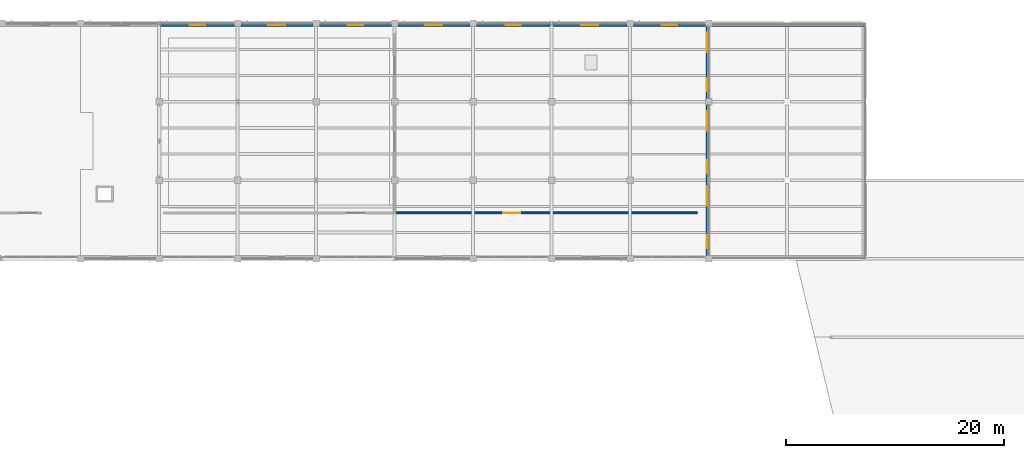
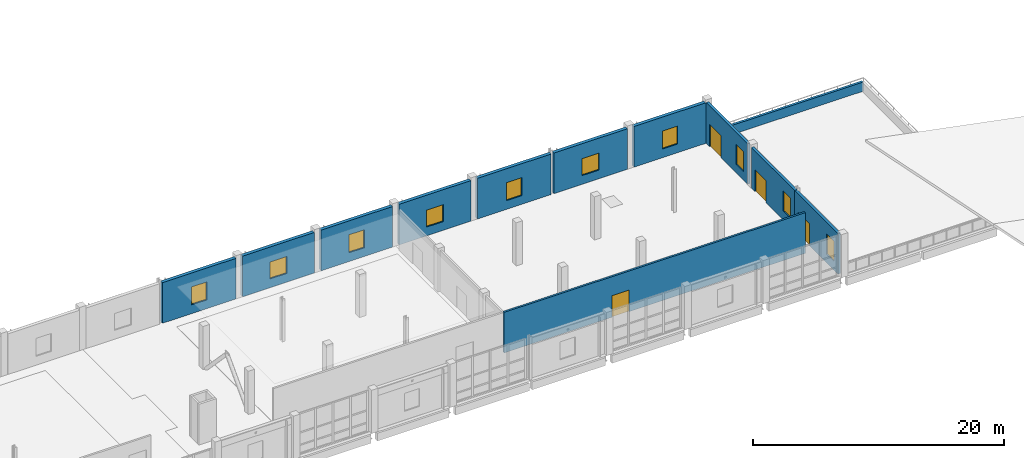
# One storey, part 74 of 94: 12 walls, 10 windows, 4 doors, 14 openings.
"""IFC4 building model written with IfcOpenShell, lengths in metres."""

from ifc_helpers import new_model, si_unit, direction, frame, frame_2d, origin, place, context, subcontext, project, spatial, rectangle, extrude, material, layer, layer_set, type_object, element, fill, save


model = new_model("IFC4")

# Units and contexts
model_context = context("Model", 3, precision=1e-05, world=origin(), true_north=direction((0.0, 1.0)))
body_context = subcontext(model_context, "Body", "Model", "MODEL_VIEW")
ifc_project = project(units=[si_unit("LENGTHUNIT", "METRE"), si_unit("AREAUNIT", "SQUARE_METRE"), si_unit("VOLUMEUNIT", "CUBIC_METRE"), si_unit("PLANEANGLEUNIT", "RADIAN"), si_unit("MASSUNIT", "GRAM", prefix="KILO")], contexts=[model_context])

# Site, building, storey
site_placement = place(None, origin())
site = spatial("IfcSite", under=ifc_project, at=site_placement, CompositionType="ELEMENT")
building_placement = place(site_placement, origin())
building = spatial("IfcBuilding", under=site, at=building_placement, Name="Kalmorath City Hall", CompositionType="ELEMENT")
storey_placement = place(building_placement, frame((0.0, 0.0, 14.699951171875)))
storey = spatial("IfcBuildingStorey", under=building, at=storey_placement, Name="L03", CompositionType="ELEMENT", Elevation=14.699951171875)

# Wall, opening, door
ifc_material_1 = material(Name="Fire-rated acoustic gypsum partition")
ifc_layer_1 = layer(ifc_material_1, 0.179931640625)
ifc_layer_set_1 = layer_set([ifc_layer_1], Name="Fire-rated acoustic gypsum partition")
wall_type_1 = type_object("IfcWallType", Name="One-hour corridor fire partition 180", PredefinedType="PARTITIONING", material=ifc_layer_set_1)
wall_1_placement = place(storey_placement, frame((86.43994140625, 97.800048828125, 0.0), z_axis=(0.0, 0.0, 1.0), x_axis=(1.0, 0.0, 0.0)))
wall_1 = element("IfcWall", 1, at=wall_1_placement, inside=storey, type_object=wall_type_1, Name="L03 interior partition PW2 #142", PredefinedType="PARTITIONING", context=body_context, shape_type="SweptSolid", body=[
    extrude(rectangle(XDim=27.719970703125, YDim=0.179931640625, at=frame_2d((13.85986328125, 0.0))), origin(), (0.0, 0.0, 1.0), 3.949951171875),
])
opening_1_placement = place(wall_1_placement, frame((9.89990234375, 0.0, 0.0)))
opening_1 = element("IfcOpeningElement", 2, at=opening_1_placement, cuts=wall_1, Name="Opening D-L03-233", PredefinedType="OPENING", context=body_context, shape_type="SweptSolid", body=[
    extrude(rectangle(XDim=1.60009765625, YDim=2.10009765625, at=frame_2d((0.800048828125, 1.050048828125))), frame((0.0, 0.099853515625, 0.0), z_axis=(0.0, -1.0, 0.0), x_axis=(1.0, 0.0, 0.0)), (0.0, 0.0, 1.0), 0.199951171875),
])
ifc_material_2 = material(Name="Acoustic hardwood fire door", Category="wood")
door_type_1 = type_object("IfcDoorType", Name="Committee double fire door 1600x2100", OperationType="DOUBLE_DOOR_SINGLE_SWING", PredefinedType="DOOR", material=ifc_material_2)
door_1_placement = place(opening_1_placement, origin())
door_1 = element("IfcDoor", 3, at=door_1_placement, inside=storey, type_object=door_type_1, Name="L03 door D-L03-233", OperationType="DOUBLE_DOOR_SINGLE_SWING", OverallHeight=2.10009765625, OverallWidth=1.60009765625, PredefinedType="DOOR", context=body_context, shape_type="SweptSolid", body=[
    extrude(rectangle(XDim=1.60009765625, YDim=2.10009765625, at=frame_2d((0.800048828125, 1.050048828125))), frame((0.0, 0.02490234375, 0.0), z_axis=(0.0, -1.0, 0.0), x_axis=(1.0, 0.0, 0.0)), (0.0, 0.0, 1.0), 0.050048828125),
])
fill(opening_1, door_1)

# Wall
ifc_material_3 = material(Name="Precast concrete C40/50", Category="concrete")
ifc_layer_2 = layer(ifc_material_3, 0.219970703125)
ifc_layer_set_2 = layer_set([ifc_layer_2], Name="Precast concrete C40/50")
wall_type_2 = type_object("IfcWallType", Name="Precast concrete roof parapet 220", PredefinedType="PARAPET", material=ifc_layer_set_2)
wall_2_placement = place(storey_placement, frame((129.39990234375, 115.0, 0.0), z_axis=(0.0, 0.0, 1.0), x_axis=(-1.0, 0.0, 0.0)))
element("IfcWall", 4, at=wall_2_placement, inside=storey, type_object=wall_type_2, Name="L03 parapet PR1-3", PredefinedType="PARAPET", context=body_context, shape_type="SweptSolid", body=[
    extrude(rectangle(XDim=14.0, YDim=0.219970703125, at=frame_2d((7.0, 0.0))), origin(), (0.0, 0.0, 1.0), 0.900146484375),
])

# Wall, openings, window, door
ifc_material_4 = material(Name="Precast concrete C40/50", Category="concrete")
ifc_layer_3 = layer(ifc_material_4, 0.239990234375)
ifc_layer_set_3 = layer_set([ifc_layer_3], Name="Precast concrete C40/50")
wall_type_3 = type_object("IfcWallType", Name="Recessed loggia insulated wall 240", PredefinedType="SOLIDWALL", material=ifc_layer_set_3)
wall_3_placement = place(storey_placement, frame((115.06005859375, 114.89892578125, 0.0), z_axis=(0.0, 0.0, 1.0), x_axis=(0.0, -1.0, 0.0)))
wall_3 = element("IfcWall", 5, at=wall_3_placement, inside=storey, type_object=wall_type_3, Name="L03 loggia wall #625", PredefinedType="SOLIDWALL", context=body_context, shape_type="SweptSolid", body=[
    extrude(rectangle(XDim=6.597900390625, YDim=0.239990234375, at=frame_2d((3.298828125, 0.0))), origin(), (0.0, 0.0, 1.0), 3.949951171875),
])
opening_2_placement = place(wall_3_placement, frame((0.550048828125, 0.0, 0.0)))
opening_2 = element("IfcOpeningElement", 6, at=opening_2_placement, cuts=wall_3, Name="Opening D-E024", PredefinedType="OPENING", context=body_context, shape_type="SweptSolid", body=[
    extrude(rectangle(XDim=1.800048828125, YDim=2.14990234375, at=frame_2d((0.89990234375, 1.074951171875))), frame((0.0, 0.1298828125, 0.0), z_axis=(0.0, -1.0, 0.0), x_axis=(1.0, 0.0, 0.0)), (0.0, 0.0, 1.0), 0.260009765625),
])
opening_3_placement = place(wall_3_placement, frame((4.748046875, 0.0, 0.85009765625)))
opening_3 = element("IfcOpeningElement", 7, at=opening_3_placement, cuts=wall_3, Name="Opening WN16", PredefinedType="OPENING", context=body_context, shape_type="SweptSolid", body=[
    extrude(rectangle(XDim=1.199951171875, YDim=1.949951171875, at=frame_2d((0.60009765625, 0.97509765625))), frame((0.0, 0.1298828125, 0.0), z_axis=(0.0, -1.0, 0.0), x_axis=(1.0, 0.0, 0.0)), (0.0, 0.0, 1.0), 0.260009765625),
])
ifc_material_5 = material(Name="Hardwood-trimmed laminated glass", Category="wood")
window_type_1 = type_object("IfcWindowType", Name="Loggia sidelight window 1200x1950", PartitioningType="SINGLE_PANEL", PredefinedType="WINDOW", material=ifc_material_5)
window_1_placement = place(opening_3_placement, origin())
window_1 = element("IfcWindow", 8, at=window_1_placement, inside=storey, type_object=window_type_1, Name="L03 window WN16-327", OverallHeight=1.949951171875, OverallWidth=1.199951171875, PartitioningType="SINGLE_PANEL", PredefinedType="WINDOW", context=body_context, shape_type="SweptSolid", body=[
    extrude(rectangle(XDim=1.199951171875, YDim=1.949951171875, at=frame_2d((0.60009765625, 0.97509765625))), frame((0.0, 0.030029296875, 0.0), z_axis=(0.0, -1.0, 0.0), x_axis=(1.0, 0.0, 0.0)), (0.0, 0.0, 1.0), 0.06005859375),
])
fill(opening_3, window_1)
ifc_material_6 = material(Name="Bronze-anodised aluminium and glass", Category="aluminium")
door_type_2 = type_object("IfcDoorType", Name="Roof garden double terrace door 1800x2150", OperationType="DOUBLE_DOOR_SINGLE_SWING", PredefinedType="DOOR", material=ifc_material_6)
door_2_placement = place(opening_2_placement, origin())
door_2 = element("IfcDoor", 9, at=door_2_placement, inside=storey, type_object=door_type_2, Name="L03 exterior door D-E024", OperationType="DOUBLE_DOOR_SINGLE_SWING", OverallHeight=2.14990234375, OverallWidth=1.800048828125, PredefinedType="DOOR", context=body_context, shape_type="SweptSolid", body=[
    extrude(rectangle(XDim=1.800048828125, YDim=2.14990234375, at=frame_2d((0.89990234375, 1.074951171875))), frame((0.0, 0.02490234375, 0.0), z_axis=(0.0, -1.0, 0.0), x_axis=(1.0, 0.0, 0.0)), (0.0, 0.0, 1.0), 0.050048828125),
])
fill(opening_2, door_2)

wall_4_placement = place(storey_placement, frame((115.06005859375, 107.698974609375, 0.0), z_axis=(0.0, 0.0, 1.0), x_axis=(0.0, -1.0, 0.0)))
wall_4 = element("IfcWall", 10, at=wall_4_placement, inside=storey, type_object=wall_type_3, Name="L03 loggia wall #626", PredefinedType="SOLIDWALL", context=body_context, shape_type="SweptSolid", body=[
    extrude(rectangle(XDim=6.89892578125, YDim=0.239990234375, at=frame_2d((3.449462890625, 0.0))), origin(), (0.0, 0.0, 1.0), 3.949951171875),
])
opening_4_placement = place(wall_4_placement, frame((0.550048828125, 0.0, 0.0)))
opening_4 = element("IfcOpeningElement", 11, at=opening_4_placement, cuts=wall_4, Name="Opening D-E025", PredefinedType="OPENING", context=body_context, shape_type="SweptSolid", body=[
    extrude(rectangle(XDim=1.800048828125, YDim=2.14990234375, at=frame_2d((0.89990234375, 1.074951171875))), frame((0.0, 0.1298828125, 0.0), z_axis=(0.0, -1.0, 0.0), x_axis=(1.0, 0.0, 0.0)), (0.0, 0.0, 1.0), 0.260009765625),
])
opening_5_placement = place(wall_4_placement, frame((5.049072265625, 0.0, 0.85009765625)))
opening_5 = element("IfcOpeningElement", 12, at=opening_5_placement, cuts=wall_4, Name="Opening WN16", PredefinedType="OPENING", context=body_context, shape_type="SweptSolid", body=[
    extrude(rectangle(XDim=1.199951171875, YDim=1.949951171875, at=frame_2d((0.60009765625, 0.97509765625))), frame((0.0, 0.1298828125, 0.0), z_axis=(0.0, -1.0, 0.0), x_axis=(1.0, 0.0, 0.0)), (0.0, 0.0, 1.0), 0.260009765625),
])
window_2_placement = place(opening_5_placement, origin())
window_2 = element("IfcWindow", 13, at=window_2_placement, inside=storey, type_object=window_type_1, Name="L03 window WN16-328", OverallHeight=1.949951171875, OverallWidth=1.199951171875, PartitioningType="SINGLE_PANEL", PredefinedType="WINDOW", context=body_context, shape_type="SweptSolid", body=[
    extrude(rectangle(XDim=1.199951171875, YDim=1.949951171875, at=frame_2d((0.60009765625, 0.97509765625))), frame((0.0, 0.030029296875, 0.0), z_axis=(0.0, -1.0, 0.0), x_axis=(1.0, 0.0, 0.0)), (0.0, 0.0, 1.0), 0.06005859375),
])
fill(opening_5, window_2)
door_3_placement = place(opening_4_placement, origin())
door_3 = element("IfcDoor", 14, at=door_3_placement, inside=storey, type_object=door_type_2, Name="L03 exterior door D-E025", OperationType="DOUBLE_DOOR_SINGLE_SWING", OverallHeight=2.14990234375, OverallWidth=1.800048828125, PredefinedType="DOOR", context=body_context, shape_type="SweptSolid", body=[
    extrude(rectangle(XDim=1.800048828125, YDim=2.14990234375, at=frame_2d((0.89990234375, 1.074951171875))), frame((0.0, 0.02490234375, 0.0), z_axis=(0.0, -1.0, 0.0), x_axis=(1.0, 0.0, 0.0)), (0.0, 0.0, 1.0), 0.050048828125),
])
fill(opening_4, door_3)

wall_5_placement = place(storey_placement, frame((115.06005859375, 100.800048828125, 0.0), z_axis=(0.0, 0.0, 1.0), x_axis=(0.0, -1.0, 0.0)))
wall_5 = element("IfcWall", 15, at=wall_5_placement, inside=storey, type_object=wall_type_3, Name="L03 loggia wall #627", PredefinedType="SOLIDWALL", context=body_context, shape_type="SweptSolid", body=[
    extrude(rectangle(XDim=6.899169921875, YDim=0.239990234375, at=frame_2d((3.44970703125, 0.0))), origin(), (0.0, 0.0, 1.0), 3.949951171875),
])
opening_6_placement = place(wall_5_placement, frame((0.550048828125, 0.0, 0.0)))
opening_6 = element("IfcOpeningElement", 16, at=opening_6_placement, cuts=wall_5, Name="Opening D-E026", PredefinedType="OPENING", context=body_context, shape_type="SweptSolid", body=[
    extrude(rectangle(XDim=1.800048828125, YDim=2.14990234375, at=frame_2d((0.89990234375, 1.074951171875))), frame((0.0, 0.1298828125, 0.0), z_axis=(0.0, -1.0, 0.0), x_axis=(1.0, 0.0, 0.0)), (0.0, 0.0, 1.0), 0.260009765625),
])
opening_7_placement = place(wall_5_placement, frame((5.049072265625, 0.0, 0.85009765625)))
opening_7 = element("IfcOpeningElement", 17, at=opening_7_placement, cuts=wall_5, Name="Opening WN16", PredefinedType="OPENING", context=body_context, shape_type="SweptSolid", body=[
    extrude(rectangle(XDim=1.199951171875, YDim=1.949951171875, at=frame_2d((0.60009765625, 0.97509765625))), frame((0.0, 0.1298828125, 0.0), z_axis=(0.0, -1.0, 0.0), x_axis=(1.0, 0.0, 0.0)), (0.0, 0.0, 1.0), 0.260009765625),
])
window_3_placement = place(opening_7_placement, origin())
window_3 = element("IfcWindow", 18, at=window_3_placement, inside=storey, type_object=window_type_1, Name="L03 window WN16-329", OverallHeight=1.949951171875, OverallWidth=1.199951171875, PartitioningType="SINGLE_PANEL", PredefinedType="WINDOW", context=body_context, shape_type="SweptSolid", body=[
    extrude(rectangle(XDim=1.199951171875, YDim=1.949951171875, at=frame_2d((0.60009765625, 0.97509765625))), frame((0.0, 0.030029296875, 0.0), z_axis=(0.0, -1.0, 0.0), x_axis=(1.0, 0.0, 0.0)), (0.0, 0.0, 1.0), 0.06005859375),
])
fill(opening_7, window_3)
door_4_placement = place(opening_6_placement, origin())
door_4 = element("IfcDoor", 19, at=door_4_placement, inside=storey, type_object=door_type_2, Name="L03 exterior door D-E026", OperationType="DOUBLE_DOOR_SINGLE_SWING", OverallHeight=2.14990234375, OverallWidth=1.800048828125, PredefinedType="DOOR", context=body_context, shape_type="SweptSolid", body=[
    extrude(rectangle(XDim=1.800048828125, YDim=2.14990234375, at=frame_2d((0.89990234375, 1.074951171875))), frame((0.0, 0.02490234375, 0.0), z_axis=(0.0, -1.0, 0.0), x_axis=(1.0, 0.0, 0.0)), (0.0, 0.0, 1.0), 0.050048828125),
])
fill(opening_6, door_4)

# Wall, opening, window
ifc_material_7 = material(Name="Concrete C40/50", Category="concrete")
ifc_layer_4 = layer(ifc_material_7, 0.300048828125)
ifc_layer_set_4 = layer_set([ifc_layer_4], Name="Concrete C40/50")
wall_type_4 = type_object("IfcWallType", Name="Volcanic basalt backup wall 300", PredefinedType="SOLIDWALL", material=ifc_layer_set_4)
wall_6_placement = place(storey_placement, frame((64.927978515625, 115.0400390625, 0.0), z_axis=(0.0, 0.0, 1.0), x_axis=(1.0, 0.0, 0.0)))
wall_6 = element("IfcWall", 20, at=wall_6_placement, inside=storey, type_object=wall_type_4, Name="L03 basalt wing wall #618", PredefinedType="SOLIDWALL", context=body_context, shape_type="SweptSolid", body=[
    extrude(rectangle(XDim=6.77099609375, YDim=0.300048828125, at=frame_2d((3.385498046875, 0.0))), origin(), (0.0, 0.0, 1.0), 3.949951171875),
])
opening_8_placement = place(wall_6_placement, frame((2.685546875, 0.0, 0.85009765625)))
opening_8 = element("IfcOpeningElement", 21, at=opening_8_placement, cuts=wall_6, Name="Opening WN11", PredefinedType="OPENING", context=body_context, shape_type="SweptSolid", body=[
    extrude(rectangle(XDim=1.39990234375, YDim=1.75, at=frame_2d((0.699951171875, 0.875))), frame((0.0, 0.159912109375, 0.0), z_axis=(0.0, -1.0, 0.0), x_axis=(1.0, 0.0, 0.0)), (0.0, 0.0, 1.0), 0.320068359375),
])
ifc_material_8 = material(Name="Bronze-anodised aluminium and glass", Category="aluminium")
window_type_2 = type_object("IfcWindowType", Name="Basalt north study window 1400x1750", PartitioningType="SINGLE_PANEL", PredefinedType="WINDOW", material=ifc_material_8)
window_4_placement = place(opening_8_placement, origin())
window_4 = element("IfcWindow", 22, at=window_4_placement, inside=storey, type_object=window_type_2, Name="L03 window WN11-320", OverallHeight=1.75, OverallWidth=1.39990234375, PartitioningType="SINGLE_PANEL", PredefinedType="WINDOW", context=body_context, shape_type="SweptSolid", body=[
    extrude(rectangle(XDim=1.39990234375, YDim=1.75, at=frame_2d((0.699951171875, 0.875))), frame((0.0, 0.030029296875, 0.0), z_axis=(0.0, -1.0, 0.0), x_axis=(1.0, 0.0, 0.0)), (0.0, 0.0, 1.0), 0.06005859375),
])
fill(opening_8, window_4)

wall_7_placement = place(storey_placement, frame((72.301025390625, 115.0400390625, 0.0), z_axis=(0.0, 0.0, 1.0), x_axis=(1.0, 0.0, 0.0)))
wall_7 = element("IfcWall", 23, at=wall_7_placement, inside=storey, type_object=wall_type_4, Name="L03 basalt wing wall #619", PredefinedType="SOLIDWALL", context=body_context, shape_type="SweptSolid", body=[
    extrude(rectangle(XDim=6.597900390625, YDim=0.300048828125, at=frame_2d((3.298828125, 0.0))), origin(), (0.0, 0.0, 1.0), 3.949951171875),
])
opening_9_placement = place(wall_7_placement, frame((2.52392578125, 0.0, 0.85009765625)))
opening_9 = element("IfcOpeningElement", 24, at=opening_9_placement, cuts=wall_7, Name="Opening WN10", PredefinedType="OPENING", context=body_context, shape_type="SweptSolid", body=[
    extrude(rectangle(XDim=1.550048828125, YDim=1.64990234375, at=frame_2d((0.77490234375, 0.824951171875))), frame((0.0, 0.159912109375, 0.0), z_axis=(0.0, -1.0, 0.0), x_axis=(1.0, 0.0, 0.0)), (0.0, 0.0, 1.0), 0.320068359375),
])
ifc_material_9 = material(Name="Bronze-anodised aluminium and glass", Category="aluminium")
window_type_3 = type_object("IfcWindowType", Name="Basalt upper window 1550x1650", PartitioningType="SINGLE_PANEL", PredefinedType="WINDOW", material=ifc_material_9)
window_5_placement = place(opening_9_placement, origin())
window_5 = element("IfcWindow", 25, at=window_5_placement, inside=storey, type_object=window_type_3, Name="L03 window WN10-321", OverallHeight=1.64990234375, OverallWidth=1.550048828125, PartitioningType="SINGLE_PANEL", PredefinedType="WINDOW", context=body_context, shape_type="SweptSolid", body=[
    extrude(rectangle(XDim=1.550048828125, YDim=1.64990234375, at=frame_2d((0.77490234375, 0.824951171875))), frame((0.0, 0.030029296875, 0.0), z_axis=(0.0, -1.0, 0.0), x_axis=(1.0, 0.0, 0.0)), (0.0, 0.0, 1.0), 0.06005859375),
])
fill(opening_9, window_5)

wall_8_placement = place(storey_placement, frame((79.5009765625, 115.0400390625, 0.0), z_axis=(0.0, 0.0, 1.0), x_axis=(1.0, 0.0, 0.0)))
wall_8 = element("IfcWall", 26, at=wall_8_placement, inside=storey, type_object=wall_type_4, Name="L03 basalt wing wall #620", PredefinedType="SOLIDWALL", context=body_context, shape_type="SweptSolid", body=[
    extrude(rectangle(XDim=6.59814453125, YDim=0.300048828125, at=frame_2d((3.299072265625, 0.0))), origin(), (0.0, 0.0, 1.0), 3.949951171875),
])
opening_10_placement = place(wall_8_placement, frame((2.59912109375, 0.0, 0.85009765625)))
opening_10 = element("IfcOpeningElement", 27, at=opening_10_placement, cuts=wall_8, Name="Opening WN11", PredefinedType="OPENING", context=body_context, shape_type="SweptSolid", body=[
    extrude(rectangle(XDim=1.39990234375, YDim=1.75, at=frame_2d((0.699951171875, 0.875))), frame((0.0, 0.159912109375, 0.0), z_axis=(0.0, -1.0, 0.0), x_axis=(1.0, 0.0, 0.0)), (0.0, 0.0, 1.0), 0.320068359375),
])
window_6_placement = place(opening_10_placement, origin())
window_6 = element("IfcWindow", 28, at=window_6_placement, inside=storey, type_object=window_type_2, Name="L03 window WN11-322", OverallHeight=1.75, OverallWidth=1.39990234375, PartitioningType="SINGLE_PANEL", PredefinedType="WINDOW", context=body_context, shape_type="SweptSolid", body=[
    extrude(rectangle(XDim=1.39990234375, YDim=1.75, at=frame_2d((0.699951171875, 0.875))), frame((0.0, 0.030029296875, 0.0), z_axis=(0.0, -1.0, 0.0), x_axis=(1.0, 0.0, 0.0)), (0.0, 0.0, 1.0), 0.06005859375),
])
fill(opening_10, window_6)

wall_9_placement = place(storey_placement, frame((86.700927734375, 115.0400390625, 0.0), z_axis=(0.0, 0.0, 1.0), x_axis=(1.0, 0.0, 0.0)))
wall_9 = element("IfcWall", 29, at=wall_9_placement, inside=storey, type_object=wall_type_4, Name="L03 basalt wing wall #621", PredefinedType="SOLIDWALL", context=body_context, shape_type="SweptSolid", body=[
    extrude(rectangle(XDim=6.59814453125, YDim=0.300048828125, at=frame_2d((3.299072265625, 0.0))), origin(), (0.0, 0.0, 1.0), 3.949951171875),
])
opening_11_placement = place(wall_9_placement, frame((2.52392578125, 0.0, 0.85009765625)))
opening_11 = element("IfcOpeningElement", 30, at=opening_11_placement, cuts=wall_9, Name="Opening WN10", PredefinedType="OPENING", context=body_context, shape_type="SweptSolid", body=[
    extrude(rectangle(XDim=1.550048828125, YDim=1.64990234375, at=frame_2d((0.77490234375, 0.824951171875))), frame((0.0, 0.159912109375, 0.0), z_axis=(0.0, -1.0, 0.0), x_axis=(1.0, 0.0, 0.0)), (0.0, 0.0, 1.0), 0.320068359375),
])
window_7_placement = place(opening_11_placement, origin())
window_7 = element("IfcWindow", 31, at=window_7_placement, inside=storey, type_object=window_type_3, Name="L03 window WN10-323", OverallHeight=1.64990234375, OverallWidth=1.550048828125, PartitioningType="SINGLE_PANEL", PredefinedType="WINDOW", context=body_context, shape_type="SweptSolid", body=[
    extrude(rectangle(XDim=1.550048828125, YDim=1.64990234375, at=frame_2d((0.77490234375, 0.824951171875))), frame((0.0, 0.030029296875, 0.0), z_axis=(0.0, -1.0, 0.0), x_axis=(1.0, 0.0, 0.0)), (0.0, 0.0, 1.0), 0.06005859375),
])
fill(opening_11, window_7)

wall_10_placement = place(storey_placement, frame((93.90087890625, 115.0400390625, 0.0), z_axis=(0.0, 0.0, 1.0), x_axis=(1.0, 0.0, 0.0)))
wall_10 = element("IfcWall", 32, at=wall_10_placement, inside=storey, type_object=wall_type_4, Name="L03 basalt wing wall #622", PredefinedType="SOLIDWALL", context=body_context, shape_type="SweptSolid", body=[
    extrude(rectangle(XDim=6.771240234375, YDim=0.300048828125, at=frame_2d((3.3857421875, 0.0))), origin(), (0.0, 0.0, 1.0), 3.949951171875),
])
opening_12_placement = place(wall_10_placement, frame((2.685546875, 0.0, 0.85009765625)))
opening_12 = element("IfcOpeningElement", 33, at=opening_12_placement, cuts=wall_10, Name="Opening WN11", PredefinedType="OPENING", context=body_context, shape_type="SweptSolid", body=[
    extrude(rectangle(XDim=1.39990234375, YDim=1.75, at=frame_2d((0.699951171875, 0.875))), frame((0.0, 0.159912109375, 0.0), z_axis=(0.0, -1.0, 0.0), x_axis=(1.0, 0.0, 0.0)), (0.0, 0.0, 1.0), 0.320068359375),
])
window_8_placement = place(opening_12_placement, origin())
window_8 = element("IfcWindow", 34, at=window_8_placement, inside=storey, type_object=window_type_2, Name="L03 window WN11-324", OverallHeight=1.75, OverallWidth=1.39990234375, PartitioningType="SINGLE_PANEL", PredefinedType="WINDOW", context=body_context, shape_type="SweptSolid", body=[
    extrude(rectangle(XDim=1.39990234375, YDim=1.75, at=frame_2d((0.699951171875, 0.875))), frame((0.0, 0.030029296875, 0.0), z_axis=(0.0, -1.0, 0.0), x_axis=(1.0, 0.0, 0.0)), (0.0, 0.0, 1.0), 0.06005859375),
])
fill(opening_12, window_8)

wall_11_placement = place(storey_placement, frame((100.927978515625, 115.0400390625, 0.0), z_axis=(0.0, 0.0, 1.0), x_axis=(1.0, 0.0, 0.0)))
wall_11 = element("IfcWall", 35, at=wall_11_placement, inside=storey, type_object=wall_type_4, Name="L03 basalt wing wall #623", PredefinedType="SOLIDWALL", context=body_context, shape_type="SweptSolid", body=[
    extrude(rectangle(XDim=6.77099609375, YDim=0.300048828125, at=frame_2d((3.385498046875, 0.0))), origin(), (0.0, 0.0, 1.0), 3.949951171875),
])
opening_13_placement = place(wall_11_placement, frame((2.610595703125, 0.0, 0.85009765625)))
opening_13 = element("IfcOpeningElement", 36, at=opening_13_placement, cuts=wall_11, Name="Opening WN10", PredefinedType="OPENING", context=body_context, shape_type="SweptSolid", body=[
    extrude(rectangle(XDim=1.550048828125, YDim=1.64990234375, at=frame_2d((0.77490234375, 0.824951171875))), frame((0.0, 0.159912109375, 0.0), z_axis=(0.0, -1.0, 0.0), x_axis=(1.0, 0.0, 0.0)), (0.0, 0.0, 1.0), 0.320068359375),
])
window_9_placement = place(opening_13_placement, origin())
window_9 = element("IfcWindow", 37, at=window_9_placement, inside=storey, type_object=window_type_3, Name="L03 window WN10-325", OverallHeight=1.64990234375, OverallWidth=1.550048828125, PartitioningType="SINGLE_PANEL", PredefinedType="WINDOW", context=body_context, shape_type="SweptSolid", body=[
    extrude(rectangle(XDim=1.550048828125, YDim=1.64990234375, at=frame_2d((0.77490234375, 0.824951171875))), frame((0.0, 0.030029296875, 0.0), z_axis=(0.0, -1.0, 0.0), x_axis=(1.0, 0.0, 0.0)), (0.0, 0.0, 1.0), 0.06005859375),
])
fill(opening_13, window_9)

wall_12_placement = place(storey_placement, frame((108.301025390625, 115.0400390625, 0.0), z_axis=(0.0, 0.0, 1.0), x_axis=(1.0, 0.0, 0.0)))
wall_12 = element("IfcWall", 38, at=wall_12_placement, inside=storey, type_object=wall_type_4, Name="L03 basalt wing wall #624", PredefinedType="SOLIDWALL", context=body_context, shape_type="SweptSolid", body=[
    extrude(rectangle(XDim=6.597900390625, YDim=0.300048828125, at=frame_2d((3.298828125, 0.0))), origin(), (0.0, 0.0, 1.0), 3.949951171875),
])
opening_14_placement = place(wall_12_placement, frame((2.59912109375, 0.0, 0.85009765625)))
opening_14 = element("IfcOpeningElement", 39, at=opening_14_placement, cuts=wall_12, Name="Opening WN11", PredefinedType="OPENING", context=body_context, shape_type="SweptSolid", body=[
    extrude(rectangle(XDim=1.39990234375, YDim=1.75, at=frame_2d((0.699951171875, 0.875))), frame((0.0, 0.159912109375, 0.0), z_axis=(0.0, -1.0, 0.0), x_axis=(1.0, 0.0, 0.0)), (0.0, 0.0, 1.0), 0.320068359375),
])
window_10_placement = place(opening_14_placement, origin())
window_10 = element("IfcWindow", 40, at=window_10_placement, inside=storey, type_object=window_type_2, Name="L03 window WN11-326", OverallHeight=1.75, OverallWidth=1.39990234375, PartitioningType="SINGLE_PANEL", PredefinedType="WINDOW", context=body_context, shape_type="SweptSolid", body=[
    extrude(rectangle(XDim=1.39990234375, YDim=1.75, at=frame_2d((0.699951171875, 0.875))), frame((0.0, 0.030029296875, 0.0), z_axis=(0.0, -1.0, 0.0), x_axis=(1.0, 0.0, 0.0)), (0.0, 0.0, 1.0), 0.06005859375),
])
fill(opening_14, window_10)

save(model, "model.ifc")
